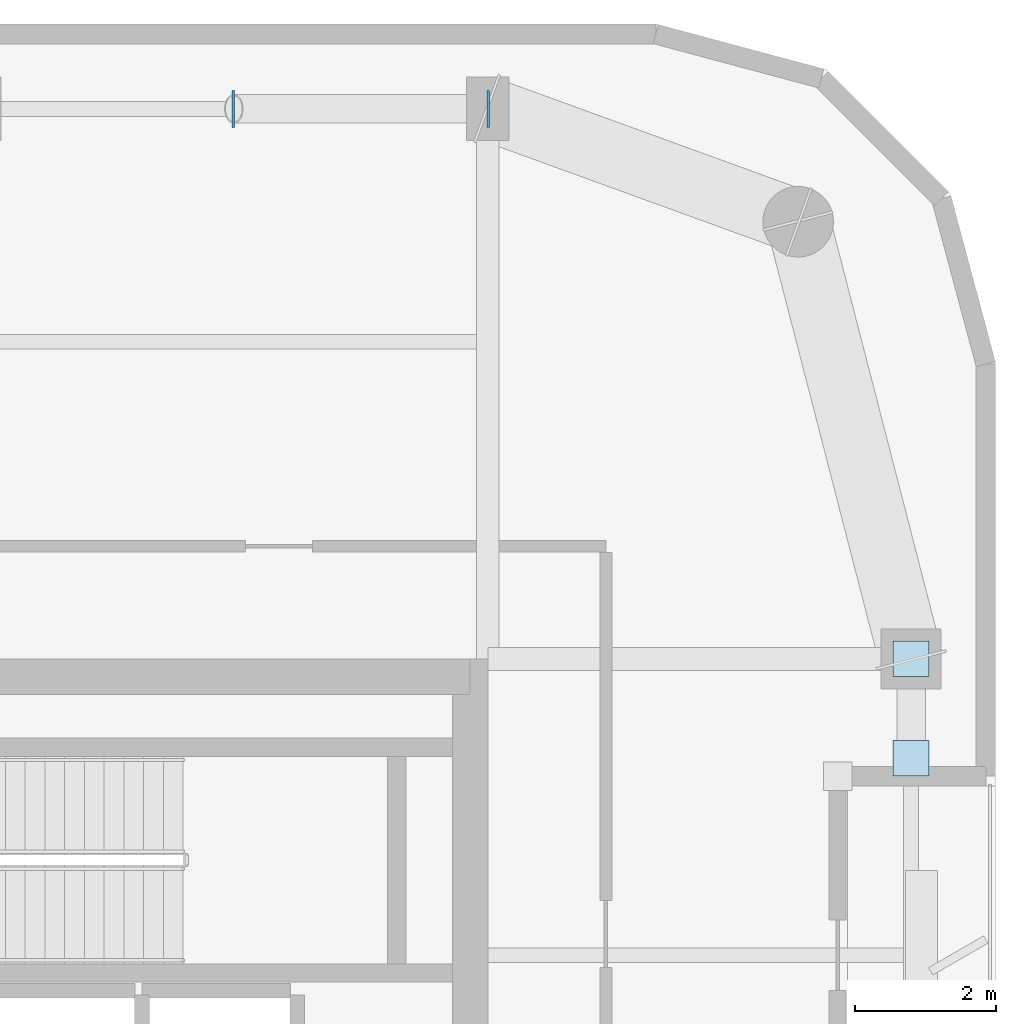
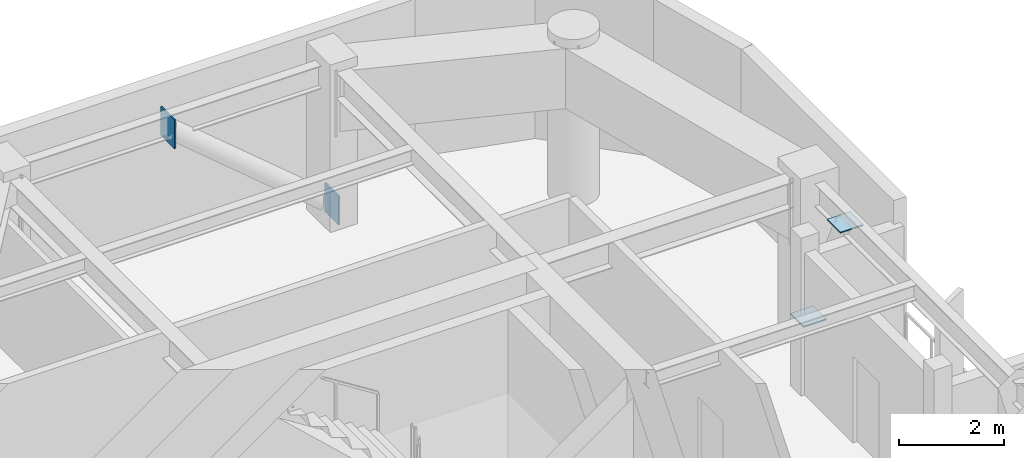
# One storey, part 9 of 15: 4 plates.
"""IFC4 building model written with IfcOpenShell, lengths in metres."""

from ifc_helpers import new_model, si_unit, direction, frame, origin, origin_2d, place, context, subcontext, project, spatial, rectangle, extrude, material, layer, layer_set, type_object, element, save


model = new_model("IFC4")

# Units and contexts
model_context = context("Model", 3, precision=1e-05, world=origin(), true_north=direction((0.0, 1.0)))
body_context = subcontext(model_context, "Body", "Model", "MODEL_VIEW")
ifc_project = project(units=[si_unit("LENGTHUNIT", "METRE"), si_unit("AREAUNIT", "SQUARE_METRE"), si_unit("VOLUMEUNIT", "CUBIC_METRE"), si_unit("PLANEANGLEUNIT", "RADIAN"), si_unit("MASSUNIT", "GRAM", prefix="KILO")], contexts=[model_context])

# Site, building, storey
site_placement = place(None, origin())
site = spatial("IfcSite", under=ifc_project, at=site_placement, CompositionType="ELEMENT")
building_placement = place(site_placement, origin())
building = spatial("IfcBuilding", under=site, at=building_placement, Name="Kiyonajd Concourse Tower", CompositionType="ELEMENT")
storey_placement = place(building_placement, frame((0.0, 0.0, 314.10009765625)))
storey = spatial("IfcBuildingStorey", under=building, at=storey_placement, Name="L79", CompositionType="ELEMENT", Elevation=314.10009765625)

# Plates
ifc_material = material(Name="Steel ASTM A572 Grade 50", Category="steel")
ifc_layer = layer(ifc_material, 0.028076171875)
ifc_layer_set = layer_set([ifc_layer], Name="Steel ASTM A572 Grade 50")
plate_type = type_object("IfcPlateType", Name="PL-CAP-450", PredefinedType="USERDEFINED", material=ifc_layer_set)
for number, where, z_axis, x_axis, name in (
    (1, (63.6083984375, 52.199951171875, -0.042724609375), (0.0, 0.0, 1.0), (1.0, 0.0, 0.0), "L79 Hollow Brace End Cap Plate PBN"),
    (2, (59.99169921875, 52.199951171875, 3.00146484375), (0.0, 0.0, 1.0), (-1.0, 0.0, 0.0), "L79 Hollow Brace Top Cap Plate PBN"),
):
    element("IfcPlate", number, at=place(storey_placement, frame(where, z_axis=z_axis, x_axis=x_axis)), inside=storey, type_object=plate_type, Name=name, ObjectType="CAP PLATE", PredefinedType="USERDEFINED", context=body_context, shape_type="SweptSolid", body=[
        extrude(rectangle(XDim=0.035888671875, YDim=0.52587890625, at=origin_2d()), origin(), (0.0, 0.0, 1.0), 0.6708984375),
    ])
for number, where, z_axis, x_axis, name in (
    (3, (69.60009765625, 44.404541015625, 0.27587890625), (0.0, 0.0, 1.0), (1.0, 0.0, 0.0), "L79 Hollow Brace End Cap Plate PBE"),
    (4, (69.60009765625, 42.995361328125, 3.32568359375), (0.0, 0.0, 1.0), (1.0, 0.0, 0.0), "L79 Hollow Brace Top Cap Plate PBE"),
):
    element("IfcPlate", number, at=place(storey_placement, frame(where, z_axis=z_axis, x_axis=x_axis)), inside=storey, type_object=plate_type, Name=name, ObjectType="CAP PLATE", PredefinedType="USERDEFINED", context=body_context, shape_type="SweptSolid", body=[
        extrude(rectangle(XDim=0.506103515625, YDim=0.506103515625, at=origin_2d()), origin(), (0.0, 0.0, 1.0), 0.028076171875),
    ])

save(model, "model.ifc")
